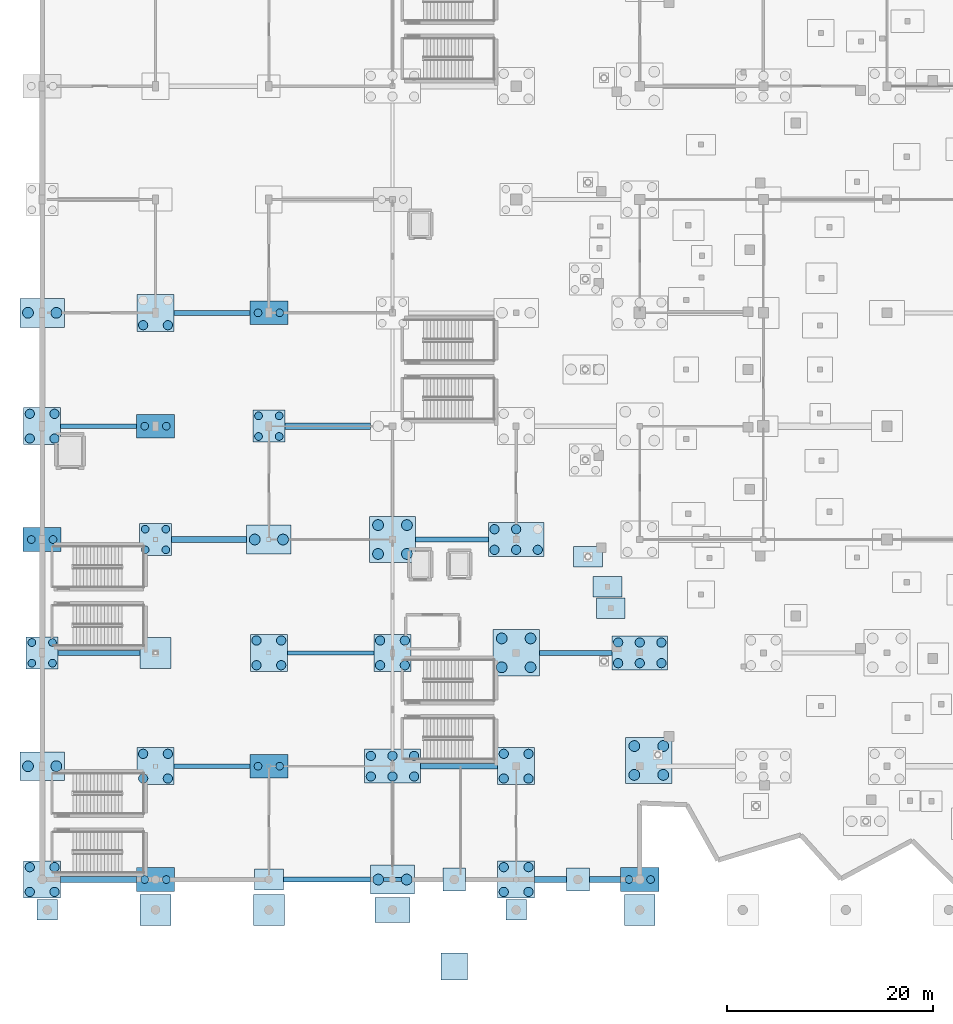
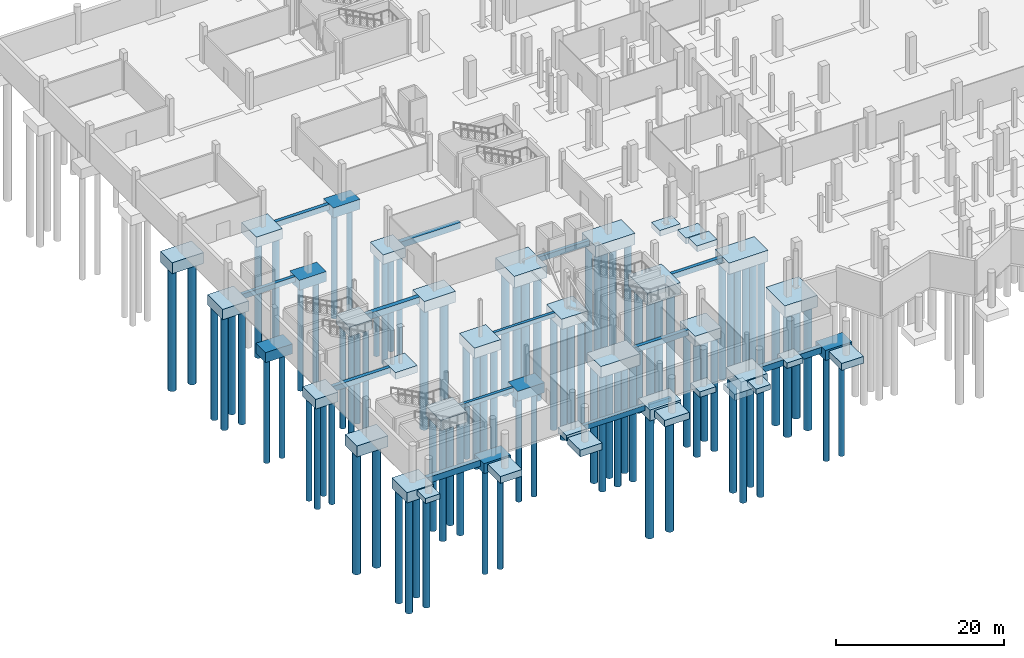
# One storey, part 1 of 60: 91 piles, 55 footings.
"""IFC4 building model written with IfcOpenShell, lengths in metres."""

from ifc_helpers import new_model, si_unit, direction, frame, origin, origin_2d, place, context, subcontext, project, spatial, rectangle, circle, extrude, material, material_profile, profile_set, type_object, element, save


model = new_model("IFC4")

# Units and contexts
model_context = context("Model", 3, precision=1e-05, world=origin(), true_north=direction((0.0, 1.0)))
body_context = subcontext(model_context, "Body", "Model", "MODEL_VIEW")
ifc_project = project(units=[si_unit("LENGTHUNIT", "METRE"), si_unit("AREAUNIT", "SQUARE_METRE"), si_unit("VOLUMEUNIT", "CUBIC_METRE"), si_unit("PLANEANGLEUNIT", "RADIAN"), si_unit("MASSUNIT", "GRAM", prefix="KILO")], contexts=[model_context])

# Site, building, storey
site_placement = place(None, origin())
site = spatial("IfcSite", under=ifc_project, at=site_placement, CompositionType="ELEMENT")
building_placement = place(site_placement, origin())
building = spatial("IfcBuilding", under=site, at=building_placement, Name="Luwafu Chhajja Arena", CompositionType="ELEMENT")
storey_placement = place(building_placement, frame((0.0, 0.0, -5.39990234375)))
storey = spatial("IfcBuildingStorey", under=building, at=storey_placement, Name="B1", CompositionType="ELEMENT", Elevation=-5.39990234375)

# Footings
ifc_material = material(Name="Concrete C35/45", Category="concrete")
footing_type_1 = type_object("IfcFootingType", Name="Arcade Corner Pad Footing PF-7", PredefinedType="PAD_FOOTING", material=ifc_material)
for number, where, z_axis, x_axis, name in (
    (1, (0.5, -2.949951171875, -0.75), (0.0, 0.0, 1.0), (1.0, 0.0, 0.0), "Pad footing PAD-118"),
    (2, (46.0, -2.949951171875, -0.75), (0.0, 0.0, 1.0), (1.0, 0.0, 0.0), "Pad footing PAD-122"),
):
    element("IfcFooting", number, at=place(storey_placement, frame(where, z_axis=z_axis, x_axis=x_axis)), inside=storey, type_object=footing_type_1, Name=name, PredefinedType="PAD_FOOTING", context=body_context, shape_type="SweptSolid", body=[
        extrude(rectangle(XDim=2.0, YDim=2.0, at=origin_2d()), origin(), (0.0, 0.0, 1.0), 0.75),
    ])
ifc_material_profile_1 = material_profile(ifc_material, rectangle(XDim=0.39990234375, YDim=0.60009765625, at=origin_2d()), Name="RC 400x600")
ifc_profile_set_1 = profile_set([ifc_material_profile_1], Name="Concrete C35/45")
footing_type_2 = type_object("IfcFootingType", Name="Arcade Plinth Tie Beam GB-4", PredefinedType="FOOTING_BEAM", material=ifc_profile_set_1)
footing_1_placement = place(storey_placement, frame((12.800048828125, 11.0, -0.300048828125), z_axis=(1.0, 0.0, 0.0), x_axis=(0.0, 1.0, 0.0)))
element("IfcFooting", 3, at=footing_1_placement, inside=storey, type_object=footing_type_2, Name="Ground tie beam GB-X-007", PredefinedType="FOOTING_BEAM", context=body_context, shape_type="SweptSolid", body=[
    extrude(rectangle(XDim=0.39990234375, YDim=0.60009765625, at=origin_2d()), origin(), (0.0, 0.0, 1.0), 7.349853515625),
])
footing_2_placement = place(storey_placement, frame((23.800048828125, 22.0, -0.300048828125), z_axis=(1.0, 0.0, 0.0), x_axis=(0.0, 1.0, 0.0)))
element("IfcFooting", 4, at=footing_2_placement, inside=storey, type_object=footing_type_2, Name="Ground tie beam GB-X-016", PredefinedType="FOOTING_BEAM", context=body_context, shape_type="SweptSolid", body=[
    extrude(rectangle(XDim=0.39990234375, YDim=0.60009765625, at=origin_2d()), origin(), (0.0, 0.0, 1.0), 8.39990234375),
])
footing_3_placement = place(storey_placement, frame((32.5, 0.0, -0.4501953125), z_axis=(1.0, 0.0, 0.0), x_axis=(0.0, 1.0, 0.0)))
element("IfcFooting", 5, at=footing_3_placement, inside=storey, type_object=footing_type_2, Name="B1 Movement Joint Wall Sill Tie Beam 01", PredefinedType="FOOTING_BEAM", context=body_context, shape_type="SweptSolid", body=[
    extrude(rectangle(XDim=0.39990234375, YDim=0.60009765625, at=origin_2d()), origin(), (0.0, 0.0, 1.0), 3.0),
])

# Piles
ifc_material_profile_2 = material_profile(ifc_material, circle(Radius=0.52490234375, at=origin_2d()), Name="PILE D1050")
ifc_profile_set_2 = profile_set([ifc_material_profile_2], Name="Concrete C35/45")
pile_type_1 = type_object("IfcPileType", Name="Bored Socketed Pile D1050", PredefinedType="BORED", material=ifc_profile_set_2)
for number, where, z_axis, x_axis, name in (
    (6, (57.471923828125, 10.154541015625, -1.60009765625), (0.0, 0.0, -1.0), (1.0, 0.0, 0.0), "Bored pile PIL-PC-3-003-1"),
    (7, (60.27197265625, 10.154541015625, -1.60009765625), (0.0, 0.0, -1.0), (1.0, 0.0, 0.0), "Bored pile PIL-PC-3-003-2"),
    (8, (57.471923828125, 12.95458984375, -1.60009765625), (0.0, 0.0, -1.0), (1.0, 0.0, 0.0), "Bored pile PIL-PC-3-003-3"),
    (9, (60.27197265625, 12.95458984375, -1.60009765625), (0.0, 0.0, -1.0), (1.0, 0.0, 0.0), "Bored pile PIL-PC-3-003-4"),
    (10, (-1.375, 11.0, -1.5), (0.0, 0.0, -1.0), (1.0, 0.0, 0.0), "Bored pile PIL-PC-2-006-1"),
    (11, (1.375, 11.0, -1.5), (0.0, 0.0, -1.0), (1.0, 0.0, 0.0), "Bored pile PIL-PC-2-006-2"),
    (12, (-1.375, 55.0, -1.5), (0.0, 0.0, -1.0), (1.0, 0.0, 0.0), "Bored pile PIL-PC-2-010-1"),
    (13, (1.375, 55.0, -1.5), (0.0, 0.0, -1.0), (1.0, 0.0, 0.0), "Bored pile PIL-PC-2-010-2"),
    (14, (20.625, 33.0, -1.5), (0.0, 0.0, -1.0), (1.0, 0.0, 0.0), "Bored pile PIL-PC-2-024-1"),
    (15, (23.375, 33.0, -1.5), (0.0, 0.0, -1.0), (1.0, 0.0, 0.0), "Bored pile PIL-PC-2-024-2"),
    (16, (32.625, 0.0, -1.5), (0.0, 0.0, -1.0), (1.0, 0.0, 0.0), "Bored pile PIL-PC-2-029-1"),
    (17, (35.375, 0.0, -1.5), (0.0, 0.0, -1.0), (1.0, 0.0, 0.0), "Bored pile PIL-PC-2-029-2"),
    (18, (32.60009765625, 31.60009765625, -1.60009765625), (0.0, 0.0, -1.0), (1.0, 0.0, 0.0), "Bored pile PIL-PC-3-032-1"),
    (19, (35.39990234375, 31.60009765625, -1.60009765625), (0.0, 0.0, -1.0), (1.0, 0.0, 0.0), "Bored pile PIL-PC-3-032-2"),
    (20, (32.60009765625, 34.39990234375, -1.60009765625), (0.0, 0.0, -1.0), (1.0, 0.0, 0.0), "Bored pile PIL-PC-3-032-3"),
    (21, (35.39990234375, 34.39990234375, -1.60009765625), (0.0, 0.0, -1.0), (1.0, 0.0, 0.0), "Bored pile PIL-PC-3-032-4"),
    (22, (44.60009765625, 20.60009765625, -1.60009765625), (0.0, 0.0, -1.0), (1.0, 0.0, 0.0), "Bored pile PIL-PC-3-041-1"),
    (23, (47.39990234375, 20.60009765625, -1.60009765625), (0.0, 0.0, -1.0), (1.0, 0.0, 0.0), "Bored pile PIL-PC-3-041-2"),
    (24, (44.60009765625, 23.39990234375, -1.60009765625), (0.0, 0.0, -1.0), (1.0, 0.0, 0.0), "Bored pile PIL-PC-3-041-3"),
    (25, (47.39990234375, 23.39990234375, -1.60009765625), (0.0, 0.0, -1.0), (1.0, 0.0, 0.0), "Bored pile PIL-PC-3-041-4"),
):
    element("IfcPile", number, at=place(storey_placement, frame(where, z_axis=z_axis, x_axis=x_axis)), inside=storey, type_object=pile_type_1, Name=name, PredefinedType="BORED", context=body_context, shape_type="SweptSolid", body=[
        extrude(circle(Radius=0.52490234375, at=origin_2d()), origin(), (0.0, 0.0, 1.0), 18.0),
    ])
ifc_material_profile_3 = material_profile(ifc_material, circle(Radius=0.375, at=origin_2d()), Name="PILE D750")
ifc_profile_set_3 = profile_set([ifc_material_profile_3], Name="Concrete C35/45")
pile_type_2 = type_object("IfcPileType", Name="Bored Socketed Pile D750", PredefinedType="BORED", material=ifc_profile_set_3)
for number, where, z_axis, x_axis, name in (
    (26, (-1.0, 21.0, -1.300048828125), (0.0, 0.0, -1.0), (1.0, 0.0, 0.0), "Bored pile PIL-PC-4-007-1"),
    (27, (1.0, 21.0, -1.300048828125), (0.0, 0.0, -1.0), (1.0, 0.0, 0.0), "Bored pile PIL-PC-4-007-2"),
    (28, (-1.0, 23.0, -1.300048828125), (0.0, 0.0, -1.0), (1.0, 0.0, 0.0), "Bored pile PIL-PC-4-007-3"),
    (29, (1.0, 23.0, -1.300048828125), (0.0, 0.0, -1.0), (1.0, 0.0, 0.0), "Bored pile PIL-PC-4-007-4"),
):
    element("IfcPile", number, at=place(storey_placement, frame(where, z_axis=z_axis, x_axis=x_axis)), inside=storey, type_object=pile_type_2, Name=name, PredefinedType="BORED", context=body_context, shape_type="SweptSolid", body=[
        extrude(circle(Radius=0.375, at=origin_2d()), origin(), (0.0, 0.0, 1.0), 15.0),
    ])
for number, where, z_axis, x_axis, name in (
    (30, (-1.050048828125, 33.0, -1.35009765625), (0.0, 0.0, -1.0), (1.0, 0.0, 0.0), "Bored pile PIL-PC-6-008-1"),
    (31, (1.050048828125, 33.0, -1.35009765625), (0.0, 0.0, -1.0), (1.0, 0.0, 0.0), "Bored pile PIL-PC-6-008-2"),
    (32, (9.949951171875, 0.0, -1.35009765625), (0.0, 0.0, -1.0), (1.0, 0.0, 0.0), "Bored pile PIL-PC-6-015-1"),
    (33, (12.050048828125, 0.0, -1.35009765625), (0.0, 0.0, -1.0), (1.0, 0.0, 0.0), "Bored pile PIL-PC-6-015-2"),
):
    element("IfcPile", number, at=place(storey_placement, frame(where, z_axis=z_axis, x_axis=x_axis)), inside=storey, type_object=pile_type_2, Name=name, PredefinedType="BORED", context=body_context, shape_type="SweptSolid", body=[
        extrude(circle(Radius=0.375, at=origin_2d()), origin(), (0.0, 0.0, 1.0), 15.5),
    ])
for number, where, z_axis, x_axis, name in (
    (34, (10.0, 32.0, -1.300048828125), (0.0, 0.0, -1.0), (1.0, 0.0, 0.0), "Bored pile PIL-PC-4-017-1"),
    (35, (12.0, 32.0, -1.300048828125), (0.0, 0.0, -1.0), (1.0, 0.0, 0.0), "Bored pile PIL-PC-4-017-2"),
    (36, (10.0, 34.0, -1.300048828125), (0.0, 0.0, -1.0), (1.0, 0.0, 0.0), "Bored pile PIL-PC-4-017-3"),
    (37, (12.0, 34.0, -1.300048828125), (0.0, 0.0, -1.0), (1.0, 0.0, 0.0), "Bored pile PIL-PC-4-017-4"),
):
    element("IfcPile", number, at=place(storey_placement, frame(where, z_axis=z_axis, x_axis=x_axis)), inside=storey, type_object=pile_type_2, Name=name, PredefinedType="BORED", context=body_context, shape_type="SweptSolid", body=[
        extrude(circle(Radius=0.375, at=origin_2d()), origin(), (0.0, 0.0, 1.0), 15.0),
    ])
for number, where, z_axis, x_axis, name in (
    (38, (9.949951171875, 44.0, -1.35009765625), (0.0, 0.0, -1.0), (1.0, 0.0, 0.0), "Bored pile PIL-PC-6-018-1"),
    (39, (12.050048828125, 44.0, -1.35009765625), (0.0, 0.0, -1.0), (1.0, 0.0, 0.0), "Bored pile PIL-PC-6-018-2"),
    (40, (20.949951171875, 11.0, -1.35009765625), (0.0, 0.0, -1.0), (1.0, 0.0, 0.0), "Bored pile PIL-PC-6-022-1"),
    (41, (23.050048828125, 11.0, -1.35009765625), (0.0, 0.0, -1.0), (1.0, 0.0, 0.0), "Bored pile PIL-PC-6-022-2"),
):
    element("IfcPile", number, at=place(storey_placement, frame(where, z_axis=z_axis, x_axis=x_axis)), inside=storey, type_object=pile_type_2, Name=name, PredefinedType="BORED", context=body_context, shape_type="SweptSolid", body=[
        extrude(circle(Radius=0.375, at=origin_2d()), origin(), (0.0, 0.0, 1.0), 15.5),
    ])
for number, where, z_axis, x_axis, name in (
    (42, (21.0, 43.0, -1.300048828125), (0.0, 0.0, -1.0), (1.0, 0.0, 0.0), "Bored pile PIL-PC-4-025-1"),
    (43, (23.0, 43.0, -1.300048828125), (0.0, 0.0, -1.0), (1.0, 0.0, 0.0), "Bored pile PIL-PC-4-025-2"),
    (44, (21.0, 45.0, -1.300048828125), (0.0, 0.0, -1.0), (1.0, 0.0, 0.0), "Bored pile PIL-PC-4-025-3"),
    (45, (23.0, 45.0, -1.300048828125), (0.0, 0.0, -1.0), (1.0, 0.0, 0.0), "Bored pile PIL-PC-4-025-4"),
):
    element("IfcPile", number, at=place(storey_placement, frame(where, z_axis=z_axis, x_axis=x_axis)), inside=storey, type_object=pile_type_2, Name=name, PredefinedType="BORED", context=body_context, shape_type="SweptSolid", body=[
        extrude(circle(Radius=0.375, at=origin_2d()), origin(), (0.0, 0.0, 1.0), 15.0),
    ])
for number, where, z_axis, x_axis, name in (
    (46, (20.949951171875, 55.0, -1.35009765625), (0.0, 0.0, -1.0), (1.0, 0.0, 0.0), "Bored pile PIL-PC-6-026-1"),
    (47, (23.050048828125, 55.0, -1.35009765625), (0.0, 0.0, -1.0), (1.0, 0.0, 0.0), "Bored pile PIL-PC-6-026-2"),
    (48, (56.949951171875, 0.0, -1.35009765625), (0.0, 0.0, -1.0), (1.0, 0.0, 0.0), "Bored pile PIL-PC-6-049-1"),
    (49, (59.050048828125, 0.0, -1.35009765625), (0.0, 0.0, -1.0), (1.0, 0.0, 0.0), "Bored pile PIL-PC-6-049-2"),
):
    element("IfcPile", number, at=place(storey_placement, frame(where, z_axis=z_axis, x_axis=x_axis)), inside=storey, type_object=pile_type_2, Name=name, PredefinedType="BORED", context=body_context, shape_type="SweptSolid", body=[
        extrude(circle(Radius=0.375, at=origin_2d()), origin(), (0.0, 0.0, 1.0), 15.5),
    ])
ifc_material_profile_4 = material_profile(ifc_material, circle(Radius=0.449951171875, at=origin_2d()), Name="PILE D900")
ifc_profile_set_4 = profile_set([ifc_material_profile_4], Name="Concrete C35/45")
pile_type_3 = type_object("IfcPileType", Name="Bored Socketed Pile D900", PredefinedType="BORED", material=ifc_profile_set_4)
for number, where, z_axis, x_axis, name in (
    (50, (-1.199951171875, -1.199951171875, -1.400146484375), (0.0, 0.0, -1.0), (1.0, 0.0, 0.0), "Bored pile PIL-PC-1-005-1"),
    (51, (1.199951171875, -1.199951171875, -1.400146484375), (0.0, 0.0, -1.0), (1.0, 0.0, 0.0), "Bored pile PIL-PC-1-005-2"),
    (52, (-1.199951171875, 1.199951171875, -1.400146484375), (0.0, 0.0, -1.0), (1.0, 0.0, 0.0), "Bored pile PIL-PC-1-005-3"),
    (53, (1.199951171875, 1.199951171875, -1.400146484375), (0.0, 0.0, -1.0), (1.0, 0.0, 0.0), "Bored pile PIL-PC-1-005-4"),
    (54, (-1.199951171875, 42.800048828125, -1.400146484375), (0.0, 0.0, -1.0), (1.0, 0.0, 0.0), "Bored pile PIL-PC-1-009-1"),
    (55, (1.199951171875, 42.800048828125, -1.400146484375), (0.0, 0.0, -1.0), (1.0, 0.0, 0.0), "Bored pile PIL-PC-1-009-2"),
    (56, (-1.199951171875, 45.199951171875, -1.400146484375), (0.0, 0.0, -1.0), (1.0, 0.0, 0.0), "Bored pile PIL-PC-1-009-3"),
    (57, (1.199951171875, 45.199951171875, -1.400146484375), (0.0, 0.0, -1.0), (1.0, 0.0, 0.0), "Bored pile PIL-PC-1-009-4"),
    (58, (9.800048828125, 9.800048828125, -1.400146484375), (0.0, 0.0, -1.0), (1.0, 0.0, 0.0), "Bored pile PIL-PC-1-016-1"),
    (59, (12.199951171875, 9.800048828125, -1.400146484375), (0.0, 0.0, -1.0), (1.0, 0.0, 0.0), "Bored pile PIL-PC-1-016-2"),
    (60, (9.800048828125, 12.199951171875, -1.400146484375), (0.0, 0.0, -1.0), (1.0, 0.0, 0.0), "Bored pile PIL-PC-1-016-3"),
    (61, (12.199951171875, 12.199951171875, -1.400146484375), (0.0, 0.0, -1.0), (1.0, 0.0, 0.0), "Bored pile PIL-PC-1-016-4"),
    (62, (9.800048828125, 53.800048828125, -1.400146484375), (0.0, 0.0, -1.0), (1.0, 0.0, 0.0), "Bored pile PIL-PC-1-019-1"),
    (63, (12.199951171875, 53.800048828125, -1.400146484375), (0.0, 0.0, -1.0), (1.0, 0.0, 0.0), "Bored pile PIL-PC-1-019-2"),
    (64, (20.800048828125, 20.800048828125, -1.400146484375), (0.0, 0.0, -1.0), (1.0, 0.0, 0.0), "Bored pile PIL-PC-1-023-1"),
    (65, (23.199951171875, 20.800048828125, -1.400146484375), (0.0, 0.0, -1.0), (1.0, 0.0, 0.0), "Bored pile PIL-PC-1-023-2"),
    (66, (20.800048828125, 23.199951171875, -1.400146484375), (0.0, 0.0, -1.0), (1.0, 0.0, 0.0), "Bored pile PIL-PC-1-023-3"),
    (67, (23.199951171875, 23.199951171875, -1.400146484375), (0.0, 0.0, -1.0), (1.0, 0.0, 0.0), "Bored pile PIL-PC-1-023-4"),
):
    element("IfcPile", number, at=place(storey_placement, frame(where, z_axis=z_axis, x_axis=x_axis)), inside=storey, type_object=pile_type_3, Name=name, PredefinedType="BORED", context=body_context, shape_type="SweptSolid", body=[
        extrude(circle(Radius=0.449951171875, at=origin_2d()), origin(), (0.0, 0.0, 1.0), 16.5),
    ])
for number, where, z_axis, x_axis, name in (
    (68, (31.89990234375, 10.0, -1.550048828125), (0.0, 0.0, -1.0), (1.0, 0.0, 0.0), "Bored pile PIL-PC-5-030-1"),
    (69, (34.0, 10.0, -1.550048828125), (0.0, 0.0, -1.0), (1.0, 0.0, 0.0), "Bored pile PIL-PC-5-030-2"),
    (70, (36.10009765625, 10.0, -1.550048828125), (0.0, 0.0, -1.0), (1.0, 0.0, 0.0), "Bored pile PIL-PC-5-030-3"),
    (71, (31.89990234375, 12.0, -1.550048828125), (0.0, 0.0, -1.0), (1.0, 0.0, 0.0), "Bored pile PIL-PC-5-030-4"),
    (72, (34.0, 12.0, -1.550048828125), (0.0, 0.0, -1.0), (1.0, 0.0, 0.0), "Bored pile PIL-PC-5-030-5"),
    (73, (36.10009765625, 12.0, -1.550048828125), (0.0, 0.0, -1.0), (1.0, 0.0, 0.0), "Bored pile PIL-PC-5-030-6"),
):
    element("IfcPile", number, at=place(storey_placement, frame(where, z_axis=z_axis, x_axis=x_axis)), inside=storey, type_object=pile_type_3, Name=name, PredefinedType="BORED", context=body_context, shape_type="SweptSolid", body=[
        extrude(circle(Radius=0.449951171875, at=origin_2d()), origin(), (0.0, 0.0, 1.0), 17.0),
    ])
for number, where, z_axis, x_axis, name in (
    (74, (32.800048828125, 20.800048828125, -1.400146484375), (0.0, 0.0, -1.0), (1.0, 0.0, 0.0), "Bored pile PIL-PC-1-031-1"),
    (75, (35.199951171875, 20.800048828125, -1.400146484375), (0.0, 0.0, -1.0), (1.0, 0.0, 0.0), "Bored pile PIL-PC-1-031-2"),
    (76, (32.800048828125, 23.199951171875, -1.400146484375), (0.0, 0.0, -1.0), (1.0, 0.0, 0.0), "Bored pile PIL-PC-1-031-3"),
    (77, (35.199951171875, 23.199951171875, -1.400146484375), (0.0, 0.0, -1.0), (1.0, 0.0, 0.0), "Bored pile PIL-PC-1-031-4"),
    (78, (44.800048828125, -1.199951171875, -1.400146484375), (0.0, 0.0, -1.0), (1.0, 0.0, 0.0), "Bored pile PIL-PC-1-039-1"),
    (79, (47.199951171875, -1.199951171875, -1.400146484375), (0.0, 0.0, -1.0), (1.0, 0.0, 0.0), "Bored pile PIL-PC-1-039-2"),
    (80, (44.800048828125, 1.199951171875, -1.400146484375), (0.0, 0.0, -1.0), (1.0, 0.0, 0.0), "Bored pile PIL-PC-1-039-3"),
    (81, (47.199951171875, 1.199951171875, -1.400146484375), (0.0, 0.0, -1.0), (1.0, 0.0, 0.0), "Bored pile PIL-PC-1-039-4"),
    (82, (44.800048828125, 9.800048828125, -1.400146484375), (0.0, 0.0, -1.0), (1.0, 0.0, 0.0), "Bored pile PIL-PC-1-040-1"),
    (83, (47.199951171875, 9.800048828125, -1.400146484375), (0.0, 0.0, -1.0), (1.0, 0.0, 0.0), "Bored pile PIL-PC-1-040-2"),
    (84, (44.800048828125, 12.199951171875, -1.400146484375), (0.0, 0.0, -1.0), (1.0, 0.0, 0.0), "Bored pile PIL-PC-1-040-3"),
    (85, (47.199951171875, 12.199951171875, -1.400146484375), (0.0, 0.0, -1.0), (1.0, 0.0, 0.0), "Bored pile PIL-PC-1-040-4"),
):
    element("IfcPile", number, at=place(storey_placement, frame(where, z_axis=z_axis, x_axis=x_axis)), inside=storey, type_object=pile_type_3, Name=name, PredefinedType="BORED", context=body_context, shape_type="SweptSolid", body=[
        extrude(circle(Radius=0.449951171875, at=origin_2d()), origin(), (0.0, 0.0, 1.0), 16.5),
    ])
for number, where, z_axis, x_axis, name in (
    (86, (43.89990234375, 32.0, -1.550048828125), (0.0, 0.0, -1.0), (1.0, 0.0, 0.0), "Bored pile PIL-PC-5-042-1"),
    (87, (46.0, 32.0, -1.550048828125), (0.0, 0.0, -1.0), (1.0, 0.0, 0.0), "Bored pile PIL-PC-5-042-2"),
    (88, (48.10009765625, 32.0, -1.550048828125), (0.0, 0.0, -1.0), (1.0, 0.0, 0.0), "Bored pile PIL-PC-5-042-3"),
    (89, (43.89990234375, 34.0, -1.550048828125), (0.0, 0.0, -1.0), (1.0, 0.0, 0.0), "Bored pile PIL-PC-5-042-4"),
    (90, (46.0, 34.0, -1.550048828125), (0.0, 0.0, -1.0), (1.0, 0.0, 0.0), "Bored pile PIL-PC-5-042-5"),
    (91, (55.89990234375, 21.0, -1.550048828125), (0.0, 0.0, -1.0), (1.0, 0.0, 0.0), "Bored pile PIL-PC-5-050-1"),
    (92, (58.0, 21.0, -1.550048828125), (0.0, 0.0, -1.0), (1.0, 0.0, 0.0), "Bored pile PIL-PC-5-050-2"),
    (93, (60.10009765625, 21.0, -1.550048828125), (0.0, 0.0, -1.0), (1.0, 0.0, 0.0), "Bored pile PIL-PC-5-050-3"),
    (94, (55.89990234375, 23.0, -1.550048828125), (0.0, 0.0, -1.0), (1.0, 0.0, 0.0), "Bored pile PIL-PC-5-050-4"),
    (95, (58.0, 23.0, -1.550048828125), (0.0, 0.0, -1.0), (1.0, 0.0, 0.0), "Bored pile PIL-PC-5-050-5"),
    (96, (60.10009765625, 23.0, -1.550048828125), (0.0, 0.0, -1.0), (1.0, 0.0, 0.0), "Bored pile PIL-PC-5-050-6"),
):
    element("IfcPile", number, at=place(storey_placement, frame(where, z_axis=z_axis, x_axis=x_axis)), inside=storey, type_object=pile_type_3, Name=name, PredefinedType="BORED", context=body_context, shape_type="SweptSolid", body=[
        extrude(circle(Radius=0.449951171875, at=origin_2d()), origin(), (0.0, 0.0, 1.0), 17.0),
    ])

# Footings
footing_type_3 = type_object("IfcFootingType", Name="Charbagh Arcade Pad Footing PF-2", PredefinedType="PAD_FOOTING", material=ifc_material)
for number, where, z_axis, x_axis, name in (
    (97, (40.0, 0.0, -0.80029296875), (0.0, 0.0, 1.0), (1.0, 0.0, 0.0), "Pad footing PAD-098"),
    (98, (52.0, 0.0, -0.80029296875), (0.0, 0.0, 1.0), (1.0, 0.0, 0.0), "Pad footing PAD-099"),
):
    element("IfcFooting", number, at=place(storey_placement, frame(where, z_axis=z_axis, x_axis=x_axis)), inside=storey, type_object=footing_type_3, Name=name, PredefinedType="PAD_FOOTING", context=body_context, shape_type="SweptSolid", body=[
        extrude(rectangle(XDim=2.199951171875, YDim=2.199951171875, at=origin_2d()), origin(), (0.0, 0.0, 1.0), 0.800048828125),
    ])
footing_type_4 = type_object("IfcFootingType", Name="Colonnade Pad Footing PF-1", PredefinedType="PAD_FOOTING", material=ifc_material)
footing_4_placement = place(storey_placement, frame((40.0, -8.449951171875, 4.050048828125), z_axis=(0.0, 0.0, 1.0), x_axis=(1.0, 0.0, 0.0)))
element("IfcFooting", 99, at=footing_4_placement, inside=storey, type_object=footing_type_4, Name="Accessible Ramp RA-01 Toe Footing", PredefinedType="PAD_FOOTING", context=body_context, shape_type="SweptSolid", body=[
    extrude(rectangle(XDim=2.60009765625, YDim=2.60009765625, at=origin_2d()), origin(), (0.0, 0.0, 1.0), 0.89990234375),
])
footing_type_5 = type_object("IfcFootingType", Name="Forecourt Canopy Pad Footing PF-3", PredefinedType="PAD_FOOTING", material=ifc_material)
for number, where, z_axis, x_axis, name in (
    (100, (22.0, 0.0, -0.85009765625), (0.0, 0.0, 1.0), (1.0, 0.0, 0.0), "Pad footing PAD-004"),
    (101, (52.968017578125, 31.3388671875, -0.85009765625), (0.0, 0.0, 1.0), (1.0, 0.0, 0.0), "Pad footing PAD-093"),
    (102, (54.854248046875, 28.41015625, -0.85009765625), (0.0, 0.0, 1.0), (1.0, 0.0, 0.0), "Pad footing PAD-232"),
    (103, (55.178955078125, 26.33544921875, -0.85009765625), (0.0, 0.0, 1.0), (1.0, 0.0, 0.0), "Pad footing PAD-233"),
):
    element("IfcFooting", number, at=place(storey_placement, frame(where, z_axis=z_axis, x_axis=x_axis)), inside=storey, type_object=footing_type_5, Name=name, PredefinedType="PAD_FOOTING", context=body_context, shape_type="SweptSolid", body=[
        extrude(rectangle(XDim=2.800048828125, YDim=2.0, at=origin_2d()), origin(), (0.0, 0.0, 1.0), 0.85009765625),
    ])
footing_type_6 = type_object("IfcFootingType", Name="Pavilion Corner Pad Footing PF-4", PredefinedType="PAD_FOOTING", material=ifc_material)
for number, where, z_axis, x_axis, name in (
    (104, (11.0, 22.0, -1.0), (0.0, 0.0, 1.0), (1.0, 0.0, 0.0), "Pad footing PAD-001"),
    (105, (11.0, -2.949951171875, -1.0), (0.0, 0.0, 1.0), (1.0, 0.0, 0.0), "Pad footing PAD-119"),
    (106, (22.0, -2.949951171875, -1.0), (0.0, 0.0, 1.0), (1.0, 0.0, 0.0), "Pad footing PAD-120"),
    (107, (58.0, -2.949951171875, -1.0), (0.0, 0.0, 1.0), (1.0, 0.0, 0.0), "Pad footing PAD-123"),
):
    element("IfcFooting", number, at=place(storey_placement, frame(where, z_axis=z_axis, x_axis=x_axis)), inside=storey, type_object=footing_type_6, Name=name, PredefinedType="PAD_FOOTING", context=body_context, shape_type="SweptSolid", body=[
        extrude(rectangle(XDim=3.0, YDim=3.0, at=origin_2d()), origin(), (0.0, 0.0, 1.0), 1.0),
    ])
ifc_material_profile_5 = material_profile(ifc_material, rectangle(XDim=0.449951171875, YDim=0.75, at=origin_2d()), Name="RC 450x750")
ifc_profile_set_5 = profile_set([ifc_material_profile_5], Name="Concrete C35/45")
footing_type_7 = type_object("IfcFootingType", Name="Perimeter Plinth Ground Beam GB-3", PredefinedType="FOOTING_BEAM", material=ifc_profile_set_5)
footing_5_placement = place(storey_placement, frame((23.39990234375, 0.0, -0.375), z_axis=(1.0, 0.0, 0.0), x_axis=(0.0, 1.0, 0.0)))
element("IfcFooting", 108, at=footing_5_placement, inside=storey, type_object=footing_type_7, Name="Ground tie beam GB-X-002", PredefinedType="FOOTING_BEAM", context=body_context, shape_type="SweptSolid", body=[
    extrude(rectangle(XDim=0.449951171875, YDim=0.75, at=origin_2d()), origin(), (0.0, 0.0, 1.0), 8.4501953125),
])
footing_6_placement = place(storey_placement, frame((36.25, 33.0, -0.375), z_axis=(1.0, 0.0, 0.0), x_axis=(0.0, 1.0, 0.0)))
element("IfcFooting", 109, at=footing_6_placement, inside=storey, type_object=footing_type_7, Name="Ground tie beam GB-X-025", PredefinedType="FOOTING_BEAM", context=body_context, shape_type="SweptSolid", body=[
    extrude(rectangle(XDim=0.449951171875, YDim=0.75, at=origin_2d()), origin(), (0.0, 0.0, 1.0), 7.050048828125),
])
footing_7_placement = place(storey_placement, frame((1.800048828125, 44.0, -0.375), z_axis=(1.0, 0.0, 0.0), x_axis=(0.0, 1.0, 0.0)))
element("IfcFooting", 110, at=footing_7_placement, inside=storey, type_object=footing_type_7, Name="Ground tie beam GB-X-032", PredefinedType="FOOTING_BEAM", context=body_context, shape_type="SweptSolid", body=[
    extrude(rectangle(XDim=0.449951171875, YDim=0.75, at=origin_2d()), origin(), (0.0, 0.0, 1.0), 7.349853515625),
])
ifc_material_profile_6 = material_profile(ifc_material, rectangle(XDim=0.60009765625, YDim=0.89990234375, at=origin_2d()), Name="RC 600x900")
ifc_profile_set_6 = profile_set([ifc_material_profile_6], Name="Concrete C35/45")
footing_type_8 = type_object("IfcFootingType", Name="Primary Ground Tie Beam GB-1", PredefinedType="FOOTING_BEAM", material=ifc_profile_set_6)
footing_8_placement = place(storey_placement, frame((1.800048828125, 0.0, -0.4501953125), z_axis=(1.0, 0.0, 0.0), x_axis=(0.0, 1.0, 0.0)))
element("IfcFooting", 111, at=footing_8_placement, inside=storey, type_object=footing_type_8, Name="Ground tie beam GB-X-001", PredefinedType="FOOTING_BEAM", context=body_context, shape_type="SweptSolid", body=[
    extrude(rectangle(XDim=0.60009765625, YDim=0.89990234375, at=origin_2d()), origin(), (0.0, 0.0, 1.0), 7.349853515625),
])
footing_9_placement = place(storey_placement, frame((47.800048828125, 0.0, -0.4501953125), z_axis=(1.0, 0.0, 0.0), x_axis=(0.0, 1.0, 0.0)))
element("IfcFooting", 112, at=footing_9_placement, inside=storey, type_object=footing_type_8, Name="Ground tie beam GB-X-003", PredefinedType="FOOTING_BEAM", context=body_context, shape_type="SweptSolid", body=[
    extrude(rectangle(XDim=0.60009765625, YDim=0.89990234375, at=origin_2d()), origin(), (0.0, 0.0, 1.0), 8.349853515625),
])
footing_10_placement = place(storey_placement, frame((12.550048828125, 33.0, -0.4501953125), z_axis=(1.0, 0.0, 0.0), x_axis=(0.0, 1.0, 0.0)))
element("IfcFooting", 113, at=footing_10_placement, inside=storey, type_object=footing_type_8, Name="Ground tie beam GB-X-024", PredefinedType="FOOTING_BEAM", context=body_context, shape_type="SweptSolid", body=[
    extrude(rectangle(XDim=0.60009765625, YDim=0.89990234375, at=origin_2d()), origin(), (0.0, 0.0, 1.0), 7.300048828125),
])
footing_11_placement = place(storey_placement, frame((23.550048828125, 44.0, -0.4501953125), z_axis=(1.0, 0.0, 0.0), x_axis=(0.0, 1.0, 0.0)))
element("IfcFooting", 114, at=footing_11_placement, inside=storey, type_object=footing_type_8, Name="Ground tie beam GB-X-033", PredefinedType="FOOTING_BEAM", context=body_context, shape_type="SweptSolid", body=[
    extrude(rectangle(XDim=0.60009765625, YDim=0.89990234375, at=origin_2d()), origin(), (0.0, 0.0, 1.0), 8.300048828125),
])
footing_type_9 = type_object("IfcFootingType", Name="Ramp Toe Pad Footing PF-5", PredefinedType="PAD_FOOTING", material=ifc_material)
footing_12_placement = place(storey_placement, frame((34.0, -2.949951171875, -0.9501953125), z_axis=(0.0, 0.0, 1.0), x_axis=(1.0, 0.0, 0.0)))
element("IfcFooting", 115, at=footing_12_placement, inside=storey, type_object=footing_type_9, Name="Pad footing PAD-121", PredefinedType="PAD_FOOTING", context=body_context, shape_type="SweptSolid", body=[
    extrude(rectangle(XDim=3.39990234375, YDim=2.39990234375, at=origin_2d()), origin(), (0.0, 0.0, 1.0), 0.949951171875),
])
footing_type_10 = type_object("IfcFootingType", Name="Reinforced Concrete Pile Cap PC-1", PredefinedType="PILE_CAP", material=ifc_material)
for number, where, z_axis, x_axis, name in (
    (116, (0.0, 0.0, -1.5), (0.0, 0.0, 1.0), (1.0, 0.0, 0.0), "Pile cap PC-1 005"),
    (117, (0.0, 44.0, -1.5), (0.0, 0.0, 1.0), (1.0, 0.0, 0.0), "Pile cap PC-1 009"),
    (118, (11.0, 11.0, -1.5), (0.0, 0.0, 1.0), (1.0, 0.0, 0.0), "Pile cap PC-1 016"),
    (119, (11.0, 55.0, -1.5), (0.0, 0.0, 1.0), (1.0, 0.0, 0.0), "Pile cap PC-1 019"),
    (120, (22.0, 22.0, -1.5), (0.0, 0.0, 1.0), (1.0, 0.0, 0.0), "Pile cap PC-1 023"),
    (121, (34.0, 22.0, -1.5), (0.0, 0.0, 1.0), (1.0, 0.0, 0.0), "Pile cap PC-1 031"),
    (122, (46.0, 0.0, -1.5), (0.0, 0.0, 1.0), (1.0, 0.0, 0.0), "Pile cap PC-1 039"),
    (123, (46.0, 11.0, -1.5), (0.0, 0.0, 1.0), (1.0, 0.0, 0.0), "Pile cap PC-1 040"),
):
    element("IfcFooting", number, at=place(storey_placement, frame(where, z_axis=z_axis, x_axis=x_axis)), inside=storey, type_object=footing_type_10, Name=name, PredefinedType="PILE_CAP", context=body_context, shape_type="SweptSolid", body=[
        extrude(rectangle(XDim=3.60009765625, YDim=3.60009765625, at=origin_2d()), origin(), (0.0, 0.0, 1.0), 1.5),
    ])
footing_type_11 = type_object("IfcFootingType", Name="Reinforced Concrete Pile Cap PC-2", PredefinedType="PILE_CAP", material=ifc_material)
for number, where, z_axis, x_axis, name in (
    (124, (0.0, 11.0, -1.60009765625), (0.0, 0.0, 1.0), (1.0, 0.0, 0.0), "Pile cap PC-2 006"),
    (125, (0.0, 55.0, -1.60009765625), (0.0, 0.0, 1.0), (1.0, 0.0, 0.0), "Pile cap PC-2 010"),
    (126, (22.0, 33.0, -1.60009765625), (0.0, 0.0, 1.0), (1.0, 0.0, 0.0), "Pile cap PC-2 024"),
    (127, (34.0, 0.0, -1.60009765625), (0.0, 0.0, 1.0), (1.0, 0.0, 0.0), "Pile cap PC-2 029"),
):
    element("IfcFooting", number, at=place(storey_placement, frame(where, z_axis=z_axis, x_axis=x_axis)), inside=storey, type_object=footing_type_11, Name=name, PredefinedType="PILE_CAP", context=body_context, shape_type="SweptSolid", body=[
        extrude(rectangle(XDim=4.300048828125, YDim=2.800048828125, at=origin_2d()), origin(), (0.0, 0.0, 1.0), 1.60009765625),
    ])
footing_type_12 = type_object("IfcFootingType", Name="Reinforced Concrete Pile Cap PC-3", PredefinedType="PILE_CAP", material=ifc_material)
for number, where, z_axis, x_axis, name in (
    (128, (58.871826171875, 11.5546875, -1.7001953125), (0.0, 0.0, 1.0), (1.0, 0.0, 0.0), "Pile cap PC-3 003"),
    (129, (34.0, 33.0, -1.7001953125), (0.0, 0.0, 1.0), (1.0, 0.0, 0.0), "Pile cap PC-3 032"),
    (130, (46.0, 22.0, -1.7001953125), (0.0, 0.0, 1.0), (1.0, 0.0, 0.0), "Pile cap PC-3 041"),
):
    element("IfcFooting", number, at=place(storey_placement, frame(where, z_axis=z_axis, x_axis=x_axis)), inside=storey, type_object=footing_type_12, Name=name, PredefinedType="PILE_CAP", context=body_context, shape_type="SweptSolid", body=[
        extrude(rectangle(XDim=4.5, YDim=4.5, at=origin_2d()), origin(), (0.0, 0.0, 1.0), 1.699951171875),
    ])
footing_type_13 = type_object("IfcFootingType", Name="Reinforced Concrete Pile Cap PC-4", PredefinedType="PILE_CAP", material=ifc_material)
for number, where, z_axis, x_axis, name in (
    (131, (0.0, 22.0, -1.400146484375), (0.0, 0.0, 1.0), (1.0, 0.0, 0.0), "Pile cap PC-4 007"),
    (132, (11.0, 33.0, -1.400146484375), (0.0, 0.0, 1.0), (1.0, 0.0, 0.0), "Pile cap PC-4 017"),
    (133, (22.0, 44.0, -1.400146484375), (0.0, 0.0, 1.0), (1.0, 0.0, 0.0), "Pile cap PC-4 025"),
):
    element("IfcFooting", number, at=place(storey_placement, frame(where, z_axis=z_axis, x_axis=x_axis)), inside=storey, type_object=footing_type_13, Name=name, PredefinedType="PILE_CAP", context=body_context, shape_type="SweptSolid", body=[
        extrude(rectangle(XDim=3.10009765625, YDim=3.10009765625, at=origin_2d()), origin(), (0.0, 0.0, 1.0), 1.39990234375),
    ])
footing_type_14 = type_object("IfcFootingType", Name="Reinforced Concrete Pile Cap PC-5", PredefinedType="PILE_CAP", material=ifc_material)
for number, where, z_axis, x_axis, name in (
    (134, (34.0, 11.0, -1.650146484375), (0.0, 0.0, 1.0), (1.0, 0.0, 0.0), "Pile cap PC-5 030"),
    (135, (46.0, 33.0, -1.650146484375), (0.0, 0.0, 1.0), (1.0, 0.0, 0.0), "Pile cap PC-5 042"),
    (136, (58.0, 22.0, -1.650146484375), (0.0, 0.0, 1.0), (1.0, 0.0, 0.0), "Pile cap PC-5 050"),
):
    element("IfcFooting", number, at=place(storey_placement, frame(where, z_axis=z_axis, x_axis=x_axis)), inside=storey, type_object=footing_type_14, Name=name, PredefinedType="PILE_CAP", context=body_context, shape_type="SweptSolid", body=[
        extrude(rectangle(XDim=5.39990234375, YDim=3.300048828125, at=origin_2d()), origin(), (0.0, 0.0, 1.0), 1.64990234375),
    ])
footing_type_15 = type_object("IfcFootingType", Name="Reinforced Concrete Pile Cap PC-6", PredefinedType="PILE_CAP", material=ifc_material)
for number, where, z_axis, x_axis, name in (
    (137, (0.0, 33.0, -1.4501953125), (0.0, 0.0, 1.0), (1.0, 0.0, 0.0), "Pile cap PC-6 008"),
    (138, (11.0, 0.0, -1.4501953125), (0.0, 0.0, 1.0), (1.0, 0.0, 0.0), "Pile cap PC-6 015"),
    (139, (11.0, 44.0, -1.4501953125), (0.0, 0.0, 1.0), (1.0, 0.0, 0.0), "Pile cap PC-6 018"),
    (140, (22.0, 11.0, -1.4501953125), (0.0, 0.0, 1.0), (1.0, 0.0, 0.0), "Pile cap PC-6 022"),
    (141, (22.0, 55.0, -1.4501953125), (0.0, 0.0, 1.0), (1.0, 0.0, 0.0), "Pile cap PC-6 026"),
    (142, (58.0, 0.0, -1.4501953125), (0.0, 0.0, 1.0), (1.0, 0.0, 0.0), "Pile cap PC-6 049"),
):
    element("IfcFooting", number, at=place(storey_placement, frame(where, z_axis=z_axis, x_axis=x_axis)), inside=storey, type_object=footing_type_15, Name=name, PredefinedType="PILE_CAP", context=body_context, shape_type="SweptSolid", body=[
        extrude(rectangle(XDim=3.699951171875, YDim=2.300048828125, at=origin_2d()), origin(), (0.0, 0.0, 1.0), 1.449951171875),
    ])
ifc_material_profile_7 = material_profile(ifc_material, rectangle(XDim=0.5, YDim=0.800048828125, at=origin_2d()), Name="RC 500x800")
ifc_profile_set_7 = profile_set([ifc_material_profile_7], Name="Concrete C35/45")
footing_type_16 = type_object("IfcFootingType", Name="Secondary Ground Tie Beam GB-2", PredefinedType="FOOTING_BEAM", material=ifc_profile_set_7)
footing_13_placement = place(storey_placement, frame((36.699951171875, 11.0, -0.400146484375), z_axis=(1.0, 0.0, 0.0), x_axis=(0.0, 1.0, 0.0)))
element("IfcFooting", 143, at=footing_13_placement, inside=storey, type_object=footing_type_16, Name="Ground tie beam GB-X-008", PredefinedType="FOOTING_BEAM", context=body_context, shape_type="SweptSolid", body=[
    extrude(rectangle(XDim=0.5, YDim=0.800048828125, at=origin_2d()), origin(), (0.0, 0.0, 1.0), 7.5),
])
footing_14_placement = place(storey_placement, frame((1.550048828125, 22.0, -0.400146484375), z_axis=(1.0, 0.0, 0.0), x_axis=(0.0, 1.0, 0.0)))
element("IfcFooting", 144, at=footing_14_placement, inside=storey, type_object=footing_type_16, Name="Ground tie beam GB-X-015", PredefinedType="FOOTING_BEAM", context=body_context, shape_type="SweptSolid", body=[
    extrude(rectangle(XDim=0.5, YDim=0.800048828125, at=origin_2d()), origin(), (0.0, 0.0, 1.0), 7.949951171875),
])
footing_15_placement = place(storey_placement, frame((48.25, 22.0, -0.400146484375), z_axis=(1.0, 0.0, 0.0), x_axis=(0.0, 1.0, 0.0)))
element("IfcFooting", 145, at=footing_15_placement, inside=storey, type_object=footing_type_16, Name="Ground tie beam GB-X-017", PredefinedType="FOOTING_BEAM", context=body_context, shape_type="SweptSolid", body=[
    extrude(rectangle(XDim=0.5, YDim=0.800048828125, at=origin_2d()), origin(), (0.0, 0.0, 1.0), 7.050048828125),
])
footing_16_placement = place(storey_placement, frame((12.800048828125, 55.0, -0.400146484375), z_axis=(1.0, 0.0, 0.0), x_axis=(0.0, 1.0, 0.0)))
element("IfcFooting", 146, at=footing_16_placement, inside=storey, type_object=footing_type_16, Name="Ground tie beam GB-X-041", PredefinedType="FOOTING_BEAM", context=body_context, shape_type="SweptSolid", body=[
    extrude(rectangle(XDim=0.5, YDim=0.800048828125, at=origin_2d()), origin(), (0.0, 0.0, 1.0), 7.349853515625),
])

save(model, "model.ifc")
